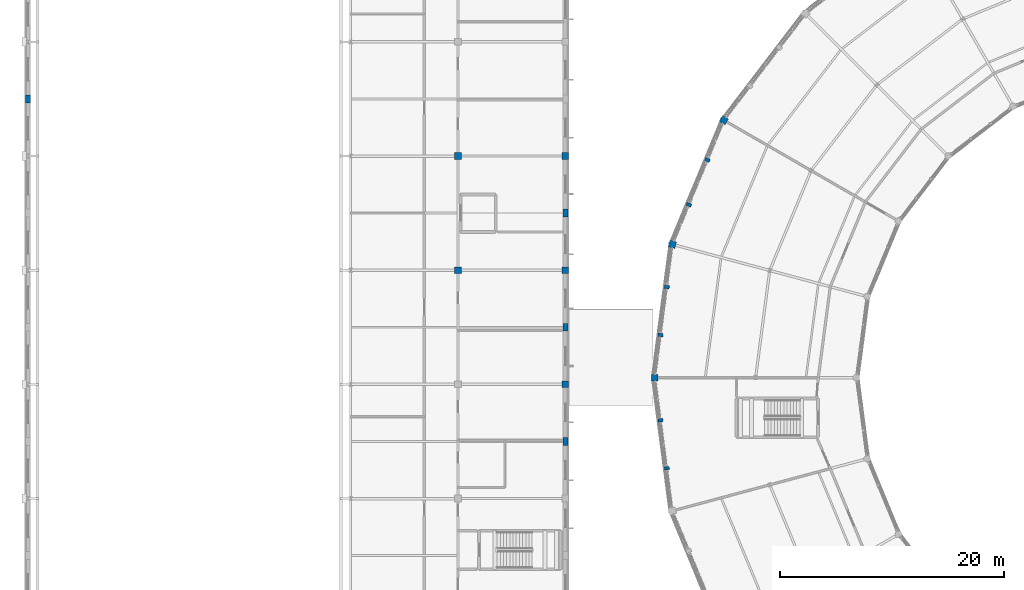
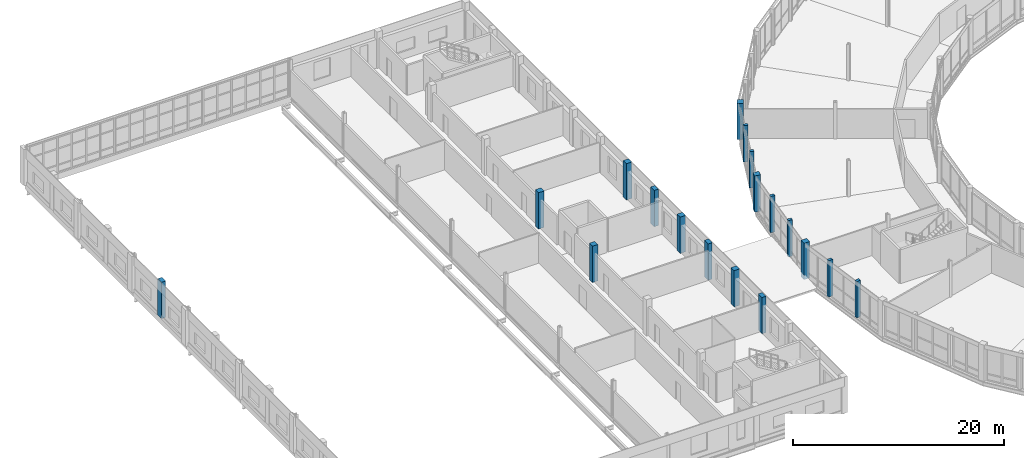
# One storey, part 7 of 170: 18 columns.
"""IFC4 building model written with IfcOpenShell, lengths in metres."""

import ifcopenshell
import ifcopenshell.guid

model = None  # the IFC model being written
_history = None  # IfcOwnerHistory: only IFC2X3 demands one
_inside = {}  # id of a spatial element -> (the spatial element, [elements in it])
_under = {}  # id of a project, library or spatial element -> (it, [spatial elements below it])
_declared = {}  # id of a project -> (the project, [libraries it declares])
_typed = {}  # id of a type object -> (the type object, [elements of that type])
_made_of = {}  # id of a material, layer set ... -> (it, [elements and type objects made of it])


def new_model(schema):
    """Start an empty IFC model of exactly this schema.

    Asked for "IFC4X3", IfcOpenShell would pick the latest addendum, in which some entities
    have other attributes; the version numbers below select the first issue.
    IFC2X3 requires an IfcOwnerHistory on every rooted entity: one is made here for all.
    """
    global model, _history
    if schema == "IFC4X3":
        model = ifcopenshell.file(schema_version=(4, 3, 0, 0))
    else:
        model = ifcopenshell.file(schema=schema)
    _inside.clear()
    _under.clear()
    _declared.clear()
    _typed.clear()
    _made_of.clear()
    _history = None
    if model.schema == "IFC2X3":
        org = make("IfcOrganization", Name="unknown")
        user = make(
            "IfcPersonAndOrganization",
            ThePerson=make("IfcPerson", FamilyName="unknown"),
            TheOrganization=org,
        )
        app = make(
            "IfcApplication",
            ApplicationDeveloper=org,
            Version="unknown",
            ApplicationFullName="unknown",
            ApplicationIdentifier="unknown",
        )
        _history = make(
            "IfcOwnerHistory",
            OwningUser=user,
            OwningApplication=app,
            ChangeAction="ADDED",
            CreationDate=0,
        )
    return model


def make(cls, **values):
    """One entity of the class cls with the attributes given. An attribute that is None is left unset."""
    return model.create_entity(
        cls, **{name: value for name, value in values.items() if value is not None}
    )


def rooted(cls, **values):
    """An entity with a GlobalId (a new one), such as an element, a storey or a relation."""
    return make(cls, GlobalId=ifcopenshell.guid.new(), OwnerHistory=_history, **values)


def si_unit(unit_type, name, prefix=None):
    """IfcSIUnit, for example si_unit("LENGTHUNIT", "METRE", prefix="MILLI")."""
    return make("IfcSIUnit", UnitType=unit_type, Prefix=prefix, Name=name)


def assignment(units):
    """IfcUnitAssignment: the units of a project."""
    return None if units is None else make("IfcUnitAssignment", Units=units)


def point(xyz):
    """IfcCartesianPoint."""
    return None if xyz is None else make("IfcCartesianPoint", Coordinates=xyz)


def direction(xyz):
    """IfcDirection."""
    return None if xyz is None else make("IfcDirection", DirectionRatios=xyz)


def frame(location, z_axis=None, x_axis=None):
    """IfcAxis2Placement3D, a coordinate frame: its origin and axes. An axis left out is left unset."""
    return make(
        "IfcAxis2Placement3D",
        Location=point(location),
        Axis=direction(z_axis),
        RefDirection=direction(x_axis),
    )


def frame_2d(location, x_axis=None):
    """IfcAxis2Placement2D, a coordinate frame in the plane: its origin and x axis."""
    return make(
        "IfcAxis2Placement2D", Location=point(location), RefDirection=direction(x_axis)
    )


def origin():
    """The frame at (0, 0, 0) with its axes left unset."""
    return frame((0.0, 0.0, 0.0))


def origin_2d():
    """The frame at (0, 0) in the plane with its x axis left unset."""
    return frame_2d((0.0, 0.0))


def place(relative_to, where):
    """IfcLocalPlacement: puts the frame where relative to a parent placement (None: the world)."""
    return make(
        "IfcLocalPlacement", PlacementRelTo=relative_to, RelativePlacement=where
    )


def context(
    kind, dimensions, precision=None, world=None, true_north=None, identifier=None
):
    """IfcGeometricRepresentationContext, for example the 3D "Model" context."""
    return make(
        "IfcGeometricRepresentationContext",
        ContextIdentifier=identifier,
        ContextType=kind,
        CoordinateSpaceDimension=dimensions,
        Precision=precision,
        WorldCoordinateSystem=world,
        TrueNorth=true_north,
    )


def subcontext(parent, identifier, kind, view, scale=None):
    """IfcGeometricRepresentationSubContext, for example "Body" below "Model"."""
    return make(
        "IfcGeometricRepresentationSubContext",
        ContextIdentifier=identifier,
        ContextType=kind,
        ParentContext=parent,
        TargetScale=scale,
        TargetView=view,
    )


def project(units=None, contexts=None):
    """IfcProject with its units and contexts."""
    return rooted(
        "IfcProject",
        Name="project",
        RepresentationContexts=contexts,
        UnitsInContext=assignment(units),
    )


def spatial(cls, under=None, at=None, **own):
    """A site, building, storey or space (cls), placed at a placement, below another one or the project."""
    s = rooted(cls, ObjectPlacement=at, **own)
    if under is not None:
        _under.setdefault(under.id(), (under, []))[1].append(s)
    return s


def profile(cls, at=None, kind="AREA", **sizes):
    """A parametric profile (cls). Its sizes go by their IFC names, for example OverallWidth=200.0."""
    return make(cls, ProfileType=kind, Position=at, **sizes)


def rectangle(**sizes):
    """IfcRectangleProfileDef."""
    return profile("IfcRectangleProfileDef", **sizes)


def extrude(swept, where, along, depth):
    """IfcExtrudedAreaSolid: the profile swept, set in the frame where, extruded along a direction by depth."""
    return make(
        "IfcExtrudedAreaSolid",
        SweptArea=swept,
        Position=where,
        ExtrudedDirection=direction(along),
        Depth=depth,
    )


def shape(context_of_items, identifier, shape_type, items):
    """IfcShapeRepresentation: the items that make up one representation, for example the "Body"."""
    return make(
        "IfcShapeRepresentation",
        ContextOfItems=context_of_items,
        RepresentationIdentifier=identifier,
        RepresentationType=shape_type,
        Items=items,
    )


def material(Name=None, Category=None):
    """IfcMaterial."""
    return make("IfcMaterial", Name=Name, Category=Category)


def material_profile(
    of_material, cross_section, Name=None, Category=None, Priority=None
):
    """IfcMaterialProfile: a cross section and its material."""
    return make(
        "IfcMaterialProfile",
        Name=Name,
        Material=of_material,
        Profile=cross_section,
        Priority=Priority,
        Category=Category,
    )


def profile_set(profiles, Name=None, composite=None):
    """IfcMaterialProfileSet."""
    return make(
        "IfcMaterialProfileSet",
        Name=Name,
        MaterialProfiles=profiles,
        CompositeProfile=composite,
    )


def made_of(thing, what):
    """Note that an element or type object is made of a material, layer set ...; save() writes the relation."""
    if what is not None:
        _made_of.setdefault(what.id(), (what, []))[1].append(thing)
    return thing


def type_object(cls, material=None, **own):
    """A type object (cls), such as IfcWallType, which elements share."""
    return made_of(rooted(cls, **own), material)


def element(
    cls,
    number,
    at=None,
    inside=None,
    cuts=None,
    type_object=None,
    material=None,
    context=None,
    identifier="Body",
    shape_type=None,
    held_by="IfcProductDefinitionShape",
    body=None,
    shapes=None,
    **own,
):
    """One element of the class cls, such as IfcWall. Its Tag is "e" and its number.

    at: its placement. inside: the storey or other place that contains it. cuts: it is an
    opening in that element (IfcRelVoidsElement). A single representation is given by context,
    identifier, shape_type and body (its items); several are given by shapes. held_by: the class
    of the entity that holds the representations. save() writes the other relations.
    """
    e = rooted(cls, Tag="e%d" % number, ObjectPlacement=at, **own)
    if body is not None:
        shapes = [shape(context, identifier, shape_type, body)]
    if shapes is not None:
        e.Representation = make(held_by, Representations=shapes)
    if inside is not None:
        _inside.setdefault(inside.id(), (inside, []))[1].append(e)
    if cuts is not None:
        rooted(
            "IfcRelVoidsElement", RelatingBuildingElement=cuts, RelatedOpeningElement=e
        )
    if type_object is not None:
        _typed.setdefault(type_object.id(), (type_object, []))[1].append(e)
    return made_of(e, material)


def aggregate(whole, parts):
    """IfcRelAggregates: a whole, such as a stair, and the parts it consists of."""
    return rooted("IfcRelAggregates", RelatingObject=whole, RelatedObjects=parts)


def save(model, path):
    """Write the relations noted so far, then the file.

    IfcRelAggregates (storeys below a building ...), IfcRelContainedInSpatialStructure (elements
    in a storey), IfcRelDefinesByType, IfcRelAssociatesMaterial and IfcRelDeclares: one each for
    every whole, place, type object, material and project.
    """
    for whole, parts in _under.values():
        aggregate(whole, parts)
    for where, things in _inside.values():
        rooted(
            "IfcRelContainedInSpatialStructure",
            RelatedElements=things,
            RelatingStructure=where,
        )
    for kind, things in _typed.values():
        rooted("IfcRelDefinesByType", RelatedObjects=things, RelatingType=kind)
    for what, things in _made_of.values():
        rooted("IfcRelAssociatesMaterial", RelatedObjects=things, RelatingMaterial=what)
    for by, libraries in _declared.values():
        rooted("IfcRelDeclares", RelatingContext=by, RelatedDefinitions=libraries)
    model.write(path)


model = new_model("IFC4")

# Units and contexts
model_context = context("Model", 3, precision=1e-05, world=origin(), true_north=direction((0.0, 1.0)))
body_context = subcontext(model_context, "Body", "Model", "MODEL_VIEW")
ifc_project = project(units=[si_unit("LENGTHUNIT", "METRE"), si_unit("AREAUNIT", "SQUARE_METRE"), si_unit("VOLUMEUNIT", "CUBIC_METRE"), si_unit("PLANEANGLEUNIT", "RADIAN"), si_unit("MASSUNIT", "GRAM", prefix="KILO")], contexts=[model_context])

# Site, building, storey
site_placement = place(None, origin())
site = spatial("IfcSite", under=ifc_project, at=site_placement, CompositionType="ELEMENT")
building_placement = place(site_placement, origin())
building = spatial("IfcBuilding", under=site, at=building_placement, Name="Vondelvale Polytechnic", CompositionType="ELEMENT")
storey_placement = place(building_placement, frame((0.0, 0.0, 5.39990234375)))
storey = spatial("IfcBuildingStorey", under=building, at=storey_placement, Name="L01", CompositionType="ELEMENT", Elevation=5.39990234375)

# Columns
ifc_material_1 = material(Name="Glulam GL18 structural Tasmanian oak (fb = 42 MPa)", Category="wood")
ifc_material_profile_1 = material_profile(ifc_material_1, rectangle(XDim=0.300048828125, YDim=0.449951171875, at=origin_2d()), Name="GL-POST-300x450")
ifc_profile_set_1 = profile_set([ifc_material_profile_1], Name="Glulam GL18 structural Tasmanian oak (fb = 42 MPa)")
column_type_1 = type_object("IfcColumnType", Name="COL-GLULAM-300x450", PredefinedType="PILASTER", material=ifc_profile_set_1)
for number, where, z_axis, x_axis, name in (
    (1, (60.6923828125, 91.44970703125, 0.0), (0.0, 0.0, 1.0), (0.382683432365, 0.923879532511, 0.0), "L01 ring outer glulam timber post C10-P1"),
    (2, (59.037841796875, 87.455810546875, 0.0), (0.0, 0.0, 1.0), (0.382683432365, 0.923879532511, 0.0), "L01 ring outer glulam timber post C10-P2"),
    (3, (57.06591796875, 80.095947265625, 0.0), (0.0, 0.0, 1.0), (0.13052619222, 0.991444861374, 0.0), "L01 ring outer glulam timber post C11-P1"),
    (4, (56.501708984375, 75.809814453125, 0.0), (0.0, 0.0, 1.0), (0.13052619222, 0.991444861374, 0.0), "L01 ring outer glulam timber post C11-P2"),
    (5, (56.501708984375, 68.190185546875, 0.0), (0.0, 0.0, 1.0), (-0.13052619222, 0.991444861374, 0.0), "L01 ring outer glulam timber post C12-P1"),
    (6, (57.06591796875, 63.904052734375, 0.0), (0.0, 0.0, 1.0), (-0.13052619222, 0.991444861374, 0.0), "L01 ring outer glulam timber post C12-P2"),
):
    element("IfcColumn", number, at=place(storey_placement, frame(where, z_axis=z_axis, x_axis=x_axis)), inside=storey, type_object=column_type_1, Name=name, PredefinedType="PILASTER", context=body_context, shape_type="SweptSolid", body=[
        extrude(rectangle(XDim=0.300048828125, YDim=0.449951171875, at=origin_2d()), origin(), (0.0, 0.0, 1.0), 4.2001953125),
    ])
ifc_material_2 = material(Name="Concrete N50 (f'c = 50 MPa)", Category="concrete")
ifc_material_profile_2 = material_profile(ifc_material_2, rectangle(XDim=0.60009765625, YDim=0.60009765625, at=origin_2d()), Name="RC-COL-600x600")
ifc_profile_set_2 = profile_set([ifc_material_profile_2], Name="Concrete N50 (f'c = 50 MPa)")
column_type_2 = type_object("IfcColumnType", Name="COL-RC600", PredefinedType="COLUMN", material=ifc_profile_set_2)
for number, where, z_axis, x_axis, name in (
    (7, (48.0, 71.39990234375, 0.0), (0.0, 0.0, 1.0), (1.0, 0.0, 0.0), "L01 workshop column (48.0,71.4)"),
    (8, (38.39990234375, 81.60009765625, 0.0), (0.0, 0.0, 1.0), (1.0, 0.0, 0.0), "L01 workshop column (38.4,81.6)"),
    (9, (48.0, 81.60009765625, 0.0), (0.0, 0.0, 1.0), (1.0, 0.0, 0.0), "L01 workshop column (48.0,81.6)"),
    (10, (38.39990234375, 91.800048828125, 0.0), (0.0, 0.0, 1.0), (1.0, 0.0, 0.0), "L01 workshop column (38.4,91.8)"),
    (11, (48.0, 91.800048828125, 0.0), (0.0, 0.0, 1.0), (1.0, 0.0, 0.0), "L01 workshop column (48.0,91.8)"),
    (12, (62.162841796875, 95.0, 0.0), (0.0, 0.0, 1.0), (-0.866025403784, 0.5, 0.0), "L01 courtyard ring column S10-RO"),
    (13, (57.5673828125, 83.90576171875, 0.0), (0.0, 0.0, 1.0), (-0.965925826289, 0.258819045103, 0.0), "L01 courtyard ring column S11-RO"),
    (14, (56.0, 72.0, 0.0), (0.0, 0.0, 1.0), (1.0, 0.0, 0.0), "L01 courtyard ring column S12-RO"),
):
    element("IfcColumn", number, at=place(storey_placement, frame(where, z_axis=z_axis, x_axis=x_axis)), inside=storey, type_object=column_type_2, Name=name, PredefinedType="COLUMN", context=body_context, shape_type="SweptSolid", body=[
        extrude(rectangle(XDim=0.60009765625, YDim=0.60009765625, at=origin_2d()), origin(), (0.0, 0.0, 1.0), 4.2001953125),
    ])
ifc_material_profile_3 = material_profile(ifc_material_2, rectangle(XDim=0.449951171875, YDim=0.699951171875, at=origin_2d()), Name="RC-PIL-700x450")
ifc_profile_set_3 = profile_set([ifc_material_profile_3], Name="Concrete N50 (f'c = 50 MPa)")
column_type_3 = type_object("IfcColumnType", Name="PIL-RC700x450", PredefinedType="PILASTER", material=ifc_profile_set_3)
for number, where, z_axis, x_axis, name in (
    (15, (48.0, 66.300048828125, 0.0), (0.0, 0.0, 1.0), (1.0, 0.0, 0.0), "L01 East workshop brick pilaster 2"),
    (16, (48.0, 76.5, 0.0), (0.0, 0.0, 1.0), (1.0, 0.0, 0.0), "L01 East workshop brick pilaster 3"),
    (17, (48.0, 86.699951171875, 0.0), (0.0, 0.0, 1.0), (1.0, 0.0, 0.0), "L01 East workshop brick pilaster 4"),
    (18, (0.0, 96.89990234375, 0.0), (0.0, 0.0, 1.0), (1.0, 0.0, 0.0), "L01 West workshop brick pilaster 5"),
):
    element("IfcColumn", number, at=place(storey_placement, frame(where, z_axis=z_axis, x_axis=x_axis)), inside=storey, type_object=column_type_3, Name=name, PredefinedType="PILASTER", context=body_context, shape_type="SweptSolid", body=[
        extrude(rectangle(XDim=0.449951171875, YDim=0.699951171875, at=origin_2d()), origin(), (0.0, 0.0, 1.0), 4.2001953125),
    ])

save(model, "model.ifc")
